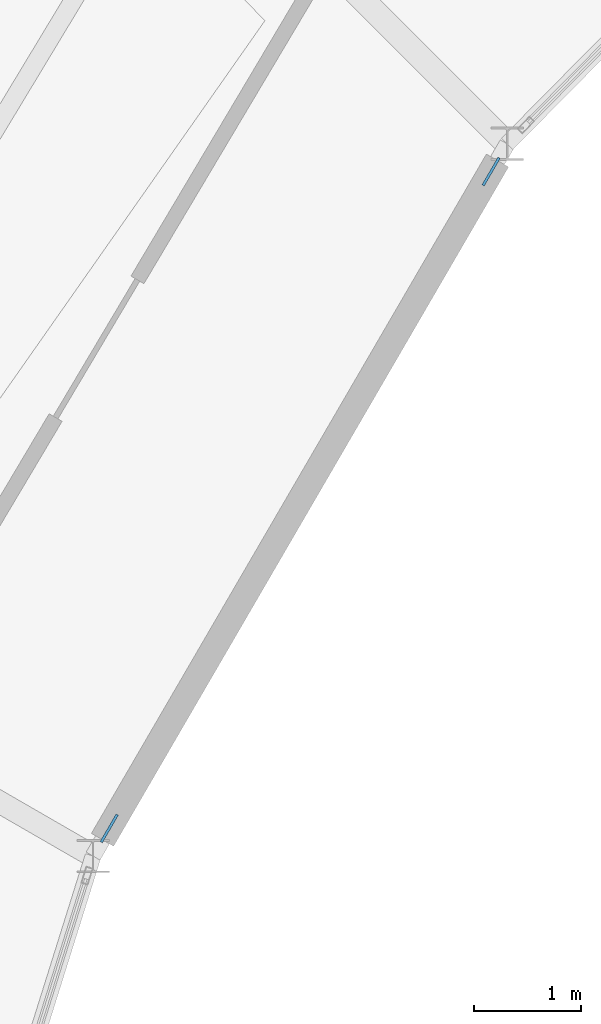
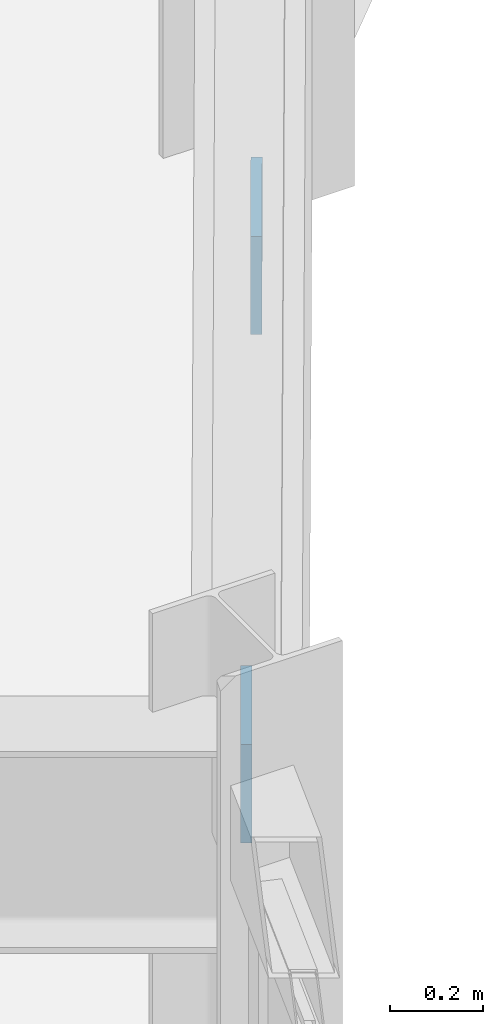
# One storey, part 118 of 147: 2 plates.
"""IFC4 building model written with IfcOpenShell, lengths in metres."""

from ifc_helpers import new_model, si_unit, direction, frame, origin, origin_2d, place, context, subcontext, project, spatial, rectangle, extrude, material, layer, layer_set, type_object, element, save


model = new_model("IFC4")

# Units and contexts
model_context = context("Model", 3, precision=1e-05, world=origin(), true_north=direction((0.0, 1.0)))
body_context = subcontext(model_context, "Body", "Model", "MODEL_VIEW")
ifc_project = project(units=[si_unit("LENGTHUNIT", "METRE"), si_unit("AREAUNIT", "SQUARE_METRE"), si_unit("VOLUMEUNIT", "CUBIC_METRE"), si_unit("PLANEANGLEUNIT", "RADIAN"), si_unit("MASSUNIT", "GRAM", prefix="KILO")], contexts=[model_context])

# Site, building, storey
site_placement = place(None, origin())
site = spatial("IfcSite", under=ifc_project, at=site_placement, CompositionType="ELEMENT")
building_placement = place(site_placement, origin())
building = spatial("IfcBuilding", under=site, at=building_placement, Name="Karori Crest Natural Sciences Institute", CompositionType="ELEMENT")
storey_placement = place(building_placement, frame((0.0, 0.0, 9.10009765625)))
storey = spatial("IfcBuildingStorey", under=building, at=storey_placement, Name="L02", CompositionType="ELEMENT", Elevation=9.10009765625)

# Plates
ifc_material = material(Name="Structural steel AS/NZS 3679.1 Grade 350", Category="steel")
ifc_layer = layer(ifc_material, 0.02490234375, Name="Structural steel AS/NZS 3679.1 Grade 350")
ifc_layer_set = layer_set([ifc_layer], Name="Structural steel AS/NZS 3679.1 Grade 350")
plate_type = type_object("IfcPlateType", Name="PLT-06", PredefinedType="SHEET", material=ifc_layer_set)
for number, where, z_axis, x_axis, name in (
    (1, (48.995849609375, 72.409423828125, -0.11962890625), (0.0, 0.0, 1.0), (0.502651840669, 0.86448893982, 0.0), "Brace gusset plate EP-0027"),
    (2, (45.419921875, 66.25927734375, 3.5205078125), (0.0, 0.0, 1.0), (0.502651840669, 0.86448893982, 0.0), "Brace gusset plate EP-0028"),
):
    element("IfcPlate", number, at=place(storey_placement, frame(where, z_axis=z_axis, x_axis=x_axis)), inside=storey, type_object=plate_type, Name=name, PredefinedType="SHEET", context=body_context, shape_type="SweptSolid", body=[
        extrude(rectangle(XDim=0.299072265625, YDim=0.02490234375, at=origin_2d()), origin(), (0.0, 0.0, 1.0), 0.259033203125),
    ])

save(model, "model.ifc")
